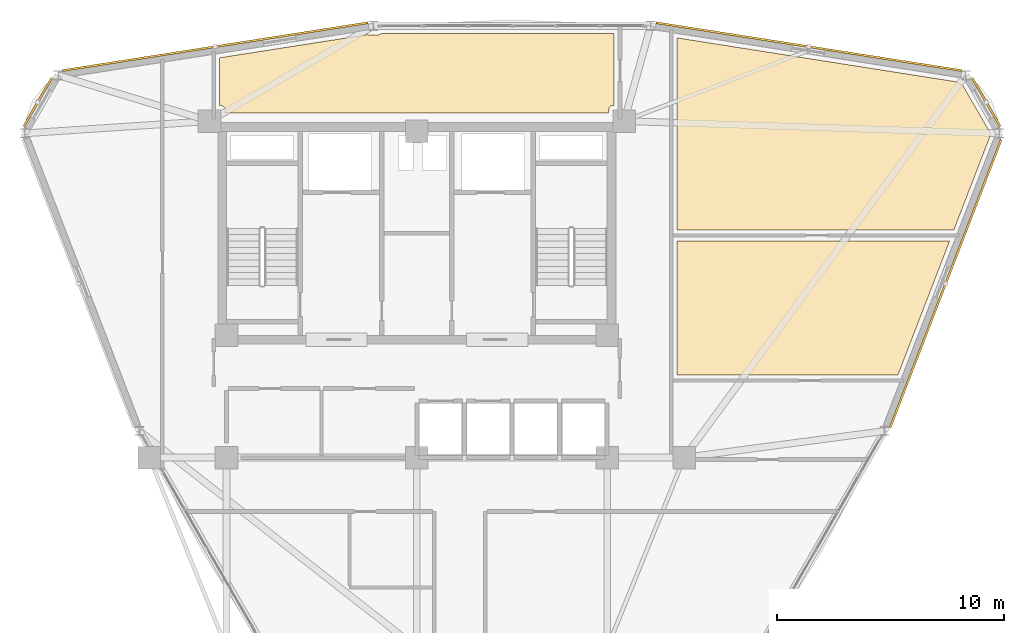
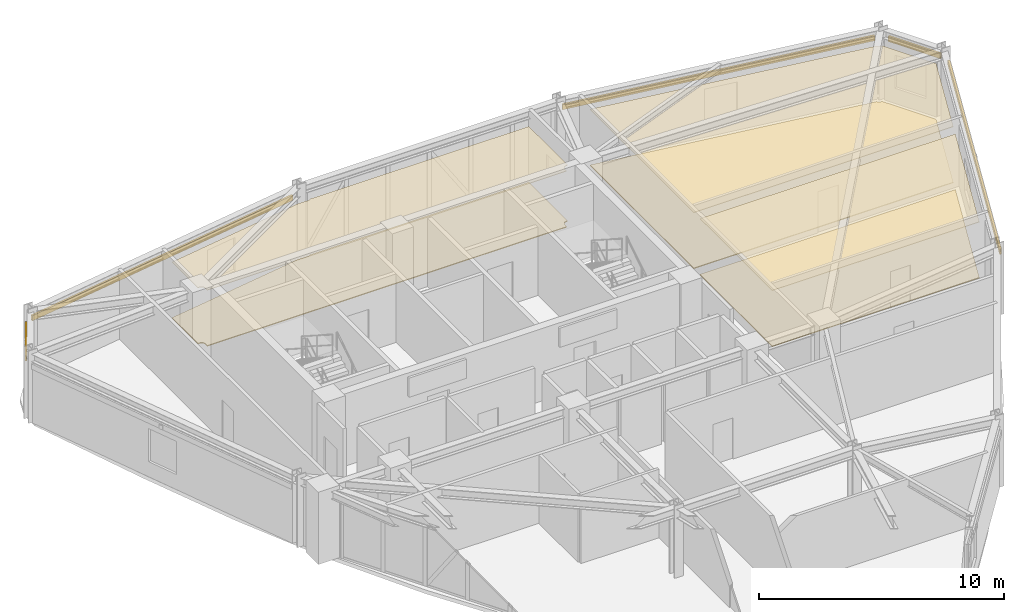
# One storey, part 16 of 16: 6 coverings, 5 shading devices.
"""IFC4 building model written with IfcOpenShell, lengths in metres."""

from ifc_helpers import new_model, si_unit, derived_unit, direction, frame, origin, origin_2d, place, context, subcontext, project, spatial, polyline, hollow_rectangle, outline, extrude, source, transform, mapped, material, layer, layer_set, material_profile, profile_set, type_object, element, save


model = new_model("IFC4")

# Units and contexts
model_context = context("Model", 3, precision=1e-05, world=origin(), true_north=direction((0.0, 1.0)))
body_context = subcontext(model_context, "Body", "Model", "MODEL_VIEW")
ifc_project = project(units=[si_unit("LENGTHUNIT", "METRE"), si_unit("AREAUNIT", "SQUARE_METRE"), si_unit("VOLUMEUNIT", "CUBIC_METRE"), si_unit("PLANEANGLEUNIT", "RADIAN"), si_unit("MASSUNIT", "GRAM", prefix="KILO"), derived_unit("THERMALTRANSMITTANCEUNIT", [(si_unit("POWERUNIT", "WATT"), 1), (si_unit("LENGTHUNIT", "METRE"), -2), (si_unit("THERMODYNAMICTEMPERATUREUNIT", "KELVIN"), -1)])], contexts=[model_context])

# Site, building, storey
site_placement = place(None, origin())
site = spatial("IfcSite", under=ifc_project, at=site_placement, CompositionType="ELEMENT")
building_placement = place(site_placement, origin())
building = spatial("IfcBuilding", under=site, at=building_placement, Name="Korsvarv Bourse and Concert Hall", CompositionType="ELEMENT")
storey_placement = place(building_placement, frame((0.0, 0.0, 216.60009765625)))
storey = spatial("IfcBuildingStorey", under=building, at=storey_placement, Name="L56", CompositionType="ELEMENT", Elevation=216.60009765625)

# Coverings
ifc_material_1 = material(Name="Perforated mineral-wool and birch acoustic baffle ceiling", Category="wood")
ifc_layer_1 = layer(ifc_material_1, 0.02490234375)
ifc_layer_set_1 = layer_set([ifc_layer_1], Name="Perforated mineral-wool and birch acoustic baffle ceiling")
covering_type_1 = type_object("IfcCoveringType", Name="COV-CEIL-1", PredefinedType="CEILING", material=ifc_layer_set_1)
covering_1_placement = place(storey_placement, frame((0.0, 0.0, 2.789794921875)))
element("IfcCovering", 1, at=covering_1_placement, inside=storey, type_object=covering_type_1, Name="L56 acoustic baffle ceiling 1", PredefinedType="CEILING", context=body_context, shape_type="SweptSolid", body=[
    extrude(outline(polyline([(59.8564453125, 48.976806640625), (59.876953125, 48.947265625), (59.90283203125, 48.922119140625), (59.933349609375, 48.902587890625), (59.967041015625, 48.889892578125), (60.00244140625, 48.8837890625), (60.060546875, 48.880126953125), (61.314208984375, 46.708984375), (61.314208984375, 46.63427734375), (59.69970703125, 42.449951171875), (47.47998046875, 42.449951171875), (47.47998046875, 50.923828125), (59.8564453125, 48.976806640625)])), origin(), (0.0, 0.0, 1.0), 0.025146484375),
])
covering_2_placement = place(storey_placement, frame((0.0, 0.0, 2.789794921875)))
element("IfcCovering", 2, at=covering_2_placement, inside=storey, type_object=covering_type_1, Name="L56 acoustic baffle ceiling 2", PredefinedType="CEILING", context=body_context, shape_type="SweptSolid", body=[
    extrude(outline(polyline([(47.47998046875, 36.050048828125), (47.47998046875, 41.949951171875), (59.506591796875, 41.949951171875), (57.230224609375, 36.050048828125), (47.47998046875, 36.050048828125)])), origin(), (0.0, 0.0, 1.0), 0.025146484375),
])
covering_3_placement = place(storey_placement, frame((0.0, 0.0, 2.789794921875)))
element("IfcCovering", 3, at=covering_3_placement, inside=storey, type_object=covering_type_1, Name="L56 acoustic baffle ceiling 3", PredefinedType="CEILING", context=body_context, shape_type="SweptSolid", body=[
    extrude(outline(polyline([(33.822265625, 51.065185546875), (33.84814453125, 51.06005859375), (34.281005859375, 51.052001953125), (34.317138671875, 51.054931640625), (34.35205078125, 51.065185546875), (34.38427734375, 51.08251953125), (34.412109375, 51.105712890625), (44.7099609375, 51.10986328125), (44.7099609375, 47.93994140625), (44.64990234375, 47.93994140625), (44.615478515625, 47.936767578125), (44.582275390625, 47.9267578125), (44.5517578125, 47.910888671875), (44.524658203125, 47.88916015625), (44.502197265625, 47.86279296875), (44.4853515625, 47.83251953125), (44.474365234375, 47.799560546875), (44.47021484375, 47.765380859375), (44.465087890625, 47.60009765625), (27.5400390625, 47.60009765625), (27.5400390625, 47.75), (27.53662109375, 47.7841796875), (27.527099609375, 47.817138671875), (27.510986328125, 47.84765625), (27.48974609375, 47.874755859375), (27.463623046875, 47.897216796875), (27.433837890625, 47.914306640625), (27.4013671875, 47.92529296875), (27.3671875, 47.929931640625), (27.2900390625, 47.932861328125), (27.2900390625, 50.0419921875), (33.822265625, 51.065185546875)])), origin(), (0.0, 0.0, 1.0), 0.025146484375),
])
ifc_material_2 = material(Name="Calcium-sulphate raised access trading floor with Nordic oak top", Category="wood")
ifc_layer_2 = layer(ifc_material_2, 0.0400390625)
ifc_layer_set_2 = layer_set([ifc_layer_2], Name="Calcium-sulphate raised access trading floor with Nordic oak top")
covering_type_2 = type_object("IfcCoveringType", Name="COV-FLOR-1", PredefinedType="FLOORING", material=ifc_layer_set_2)
covering_4_placement = place(storey_placement, origin())
element("IfcCovering", 4, at=covering_4_placement, inside=storey, type_object=covering_type_2, Name="L56 raised access oak floor finish 1", PredefinedType="FLOORING", context=body_context, shape_type="SweptSolid", body=[
    extrude(outline(polyline([(59.8564453125, 48.976806640625), (59.876953125, 48.947265625), (59.90283203125, 48.922119140625), (59.933349609375, 48.902587890625), (59.967041015625, 48.889892578125), (60.00244140625, 48.8837890625), (60.060546875, 48.880126953125), (61.314208984375, 46.708984375), (61.314208984375, 46.63427734375), (59.69970703125, 42.449951171875), (47.47998046875, 42.449951171875), (47.47998046875, 50.923828125), (59.8564453125, 48.976806640625)])), origin(), (0.0, 0.0, 1.0), 0.039794921875),
])
covering_5_placement = place(storey_placement, origin())
element("IfcCovering", 5, at=covering_5_placement, inside=storey, type_object=covering_type_2, Name="L56 raised access oak floor finish 2", PredefinedType="FLOORING", context=body_context, shape_type="SweptSolid", body=[
    extrude(outline(polyline([(47.47998046875, 36.050048828125), (47.47998046875, 41.949951171875), (59.506591796875, 41.949951171875), (57.230224609375, 36.050048828125), (47.47998046875, 36.050048828125)])), origin(), (0.0, 0.0, 1.0), 0.039794921875),
])
covering_6_placement = place(storey_placement, origin())
element("IfcCovering", 6, at=covering_6_placement, inside=storey, type_object=covering_type_2, Name="L56 raised access oak floor finish 3", PredefinedType="FLOORING", context=body_context, shape_type="SweptSolid", body=[
    extrude(outline(polyline([(33.822265625, 51.065185546875), (33.84814453125, 51.06005859375), (34.281005859375, 51.052001953125), (34.317138671875, 51.054931640625), (34.35205078125, 51.065185546875), (34.38427734375, 51.08251953125), (34.412109375, 51.105712890625), (44.7099609375, 51.10986328125), (44.7099609375, 47.93994140625), (44.64990234375, 47.93994140625), (44.615478515625, 47.936767578125), (44.582275390625, 47.9267578125), (44.5517578125, 47.910888671875), (44.524658203125, 47.88916015625), (44.502197265625, 47.86279296875), (44.4853515625, 47.83251953125), (44.474365234375, 47.799560546875), (44.47021484375, 47.765380859375), (44.465087890625, 47.60009765625), (27.5400390625, 47.60009765625), (27.5400390625, 47.75), (27.53662109375, 47.7841796875), (27.527099609375, 47.817138671875), (27.510986328125, 47.84765625), (27.48974609375, 47.874755859375), (27.463623046875, 47.897216796875), (27.433837890625, 47.914306640625), (27.4013671875, 47.92529296875), (27.3671875, 47.929931640625), (27.2900390625, 47.932861328125), (27.2900390625, 50.0419921875), (33.822265625, 51.065185546875)])), origin(), (0.0, 0.0, 1.0), 0.039794921875),
])

# Shading devices
ifc_material_3 = material(Name="Glazed extruded architectural terracotta", Category="ceramic")
ifc_material_profile = material_profile(ifc_material_3, hollow_rectangle(XDim=0.090087890625, YDim=0.260009765625, WallThickness=0.011962890625, at=origin_2d()), Name="TC-BAG 90x260")
ifc_profile_set = profile_set([ifc_material_profile], Name="Glazed extruded architectural terracotta")
shading_device_type = type_object("IfcShadingDeviceType", Name="SHD-BAG-1", PredefinedType="USERDEFINED", material=ifc_profile_set)
shared_shape_1 = source(origin(), body_context, "Body", "SweptSolid", [
    extrude(hollow_rectangle(XDim=0.090087890625, YDim=0.260009765625, WallThickness=0.011962890625, at=origin_2d()), origin(), (0.0, 0.0, 1.0), 2.467529296875),
])
for number, where, z_axis, x_axis, name in (
    (7, (61.744384765625, 47.013916015625, 2.85986328125), (-0.500033620833, 0.866005991917, 0.0), (-0.866005991917, -0.500033620833, 0.0), "L56 terracotta baguette sunshade EW-L56-B01"),
    (8, (19.8896484375, 49.15087890625, 2.85986328125), (-0.500033620833, -0.866005991917, 0.0), (0.866005991917, -0.500033620833, 0.0), "L56 terracotta baguette sunshade EW-L56-B05"),
):
    element("IfcShadingDevice", number, at=place(storey_placement, frame(where, z_axis=z_axis, x_axis=x_axis)), inside=storey, type_object=shading_device_type, Name=name, ObjectType="BAGUETTE", PredefinedType="USERDEFINED", context=body_context, shape_type="MappedRepresentation", body=[
        mapped(shared_shape_1, transform((0.0, 0.0, 0.0), scale=1.0)),
    ])
shared_shape_2 = source(origin(), body_context, "Body", "SweptSolid", [
    extrude(hollow_rectangle(XDim=0.090087890625, YDim=0.260009765625, WallThickness=0.011962890625, at=origin_2d()), origin(), (0.0, 0.0, 1.0), 13.65673828125),
])
for number, where, z_axis, x_axis, name in (
    (9, (60.04638671875, 49.47705078125, 2.85986328125), (-0.987957437721, 0.154725890697, 0.0), (-0.154725890697, -0.987957437721, 0.0), "L56 terracotta baguette sunshade EW-L56-B02"),
    (10, (33.845947265625, 51.590087890625, 2.7998046875), (-0.987957437721, -0.154725890697, 0.0), (0.154725890697, -0.987957437721, 0.0), "L56 terracotta baguette sunshade EW-L56-B04"),
):
    element("IfcShadingDevice", number, at=place(storey_placement, frame(where, z_axis=z_axis, x_axis=x_axis)), inside=storey, type_object=shading_device_type, Name=name, ObjectType="BAGUETTE", PredefinedType="USERDEFINED", context=body_context, shape_type="MappedRepresentation", body=[
        mapped(shared_shape_2, transform((0.0, 0.0, 0.0), scale=1.0)),
    ])
shared_shape_3 = source(origin(), body_context, "Body", "SweptSolid", [
    extrude(hollow_rectangle(XDim=0.090087890625, YDim=0.260009765625, WallThickness=0.011962890625, at=origin_2d()), origin(), (0.0, 0.0, 1.0), 13.621337890625),
])
shading_device_placement = place(storey_placement, frame((56.885009765625, 33.72412109375, 2.85986328125), z_axis=(0.359956541612, 0.93296907138, 0.0), x_axis=(-0.93296907138, 0.359956541612, 0.0)))
element("IfcShadingDevice", 11, at=shading_device_placement, inside=storey, type_object=shading_device_type, Name="L56 terracotta baguette sunshade EW-L56-B12", ObjectType="BAGUETTE", PredefinedType="USERDEFINED", context=body_context, shape_type="MappedRepresentation", body=[
    mapped(shared_shape_3, transform((0.0, 0.0, 0.0), scale=1.0)),
])

save(model, "model.ifc")
